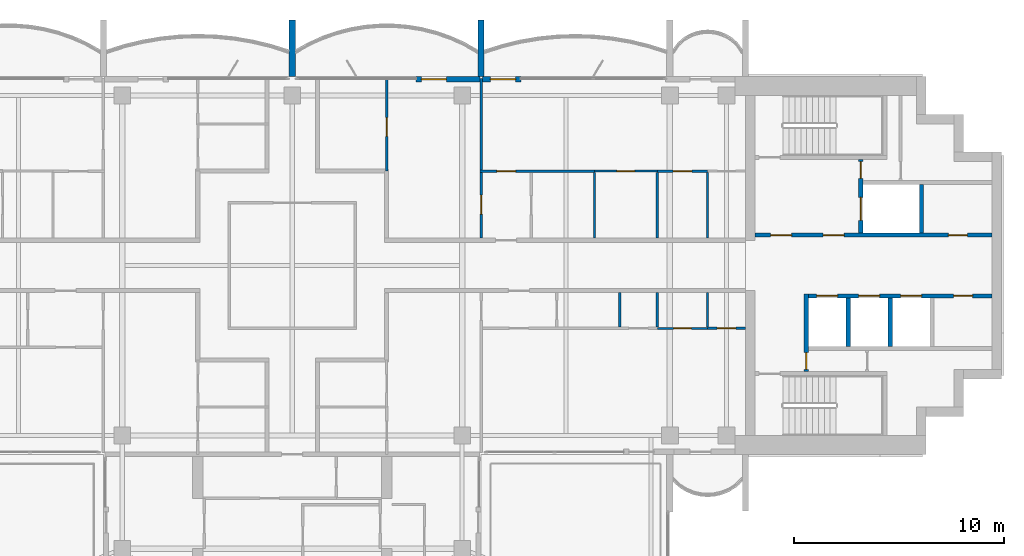
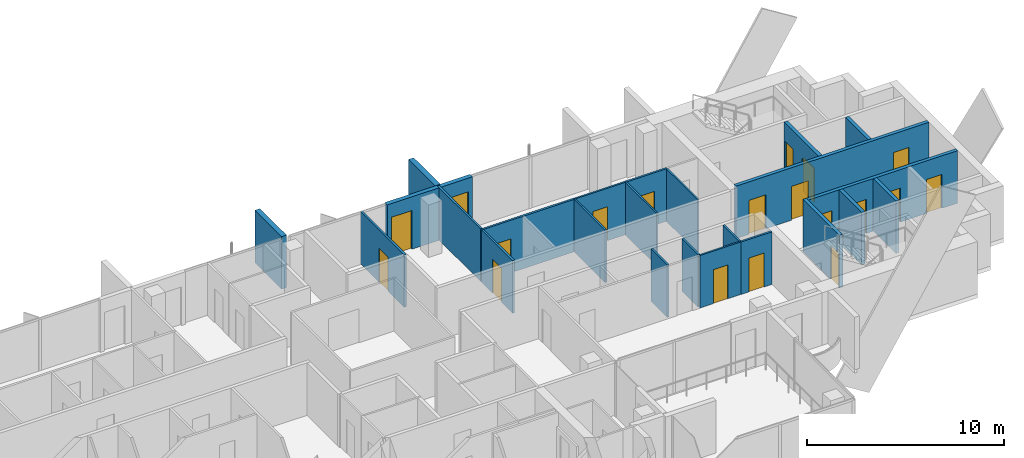
# One storey, part 11 of 16: 24 walls, 19 doors, 19 openings.
"""IFC4 building model written with IfcOpenShell, lengths in metres."""

from ifc_helpers import new_model, si_unit, direction, frame, frame_2d, origin, place, context, subcontext, project, spatial, rectangle, extrude, material, layer, layer_set, type_object, element, fill, save


model = new_model("IFC4")

# Units and contexts
model_context = context("Model", 3, precision=1e-05, world=origin(), true_north=direction((0.0, 1.0)))
body_context = subcontext(model_context, "Body", "Model", "MODEL_VIEW")
ifc_project = project(units=[si_unit("LENGTHUNIT", "METRE"), si_unit("AREAUNIT", "SQUARE_METRE"), si_unit("VOLUMEUNIT", "CUBIC_METRE"), si_unit("PLANEANGLEUNIT", "RADIAN"), si_unit("MASSUNIT", "GRAM", prefix="KILO")], contexts=[model_context])

# Site, building, storey
site_placement = place(None, origin())
site = spatial("IfcSite", under=ifc_project, at=site_placement, CompositionType="ELEMENT")
building_placement = place(site_placement, origin())
building = spatial("IfcBuilding", under=site, at=building_placement, Name="Perihelion Cross Residences", CompositionType="ELEMENT")
storey_placement = place(building_placement, frame((0.0, 0.0, 239.5)))
storey = spatial("IfcBuildingStorey", under=building, at=storey_placement, Name="L60", CompositionType="ELEMENT", Elevation=239.5)

# Wall, opening, door
ifc_material_1 = material(Name="Concrete C30/37, bronze-clad", Category="concrete")
ifc_layer_1 = layer(ifc_material_1, 0.25)
ifc_layer_set_1 = layer_set([ifc_layer_1], Name="Bronze-clad pier wall 250")
wall_type_1 = type_object("IfcWallType", Name="Bronze-clad pier wall 250", PredefinedType="SOLIDWALL", material=ifc_layer_set_1)
wall_1_placement = place(storey_placement, frame((10.89990234375, 8.875, 0.0), z_axis=(0.0, 0.0, 1.0), x_axis=(-1.0, 0.0, 0.0)))
wall_1 = element("IfcWall", 1, at=wall_1_placement, inside=storey, type_object=wall_type_1, Name="Wall FW1 L60 east side north bay 2 pier", PredefinedType="SOLIDWALL", context=body_context, shape_type="SweptSolid", body=[
    extrude(rectangle(XDim=1.83984375, YDim=0.25, at=frame_2d((0.919921875, 0.0))), origin(), (0.0, 0.0, 1.0), 3.25),
])
opening_1_placement = place(wall_1_placement, frame((0.25, 0.0, 0.0)))
opening_1 = element("IfcOpeningElement", 2, at=opening_1_placement, cuts=wall_1, Name="Opening L60.E02", PredefinedType="OPENING", context=body_context, shape_type="SweptSolid", body=[
    extrude(rectangle(XDim=1.199951171875, YDim=2.39990234375, at=frame_2d((0.60009765625, 1.199951171875))), frame((0.0, 0.135009765625, 0.0), z_axis=(0.0, -1.0, 0.0), x_axis=(1.0, 0.0, 0.0)), (0.0, 0.0, 1.0), 0.27001953125),
])
ifc_material_2 = material(Name="Bronze anodised aluminium, glazed", Category="aluminium")
door_type_1 = type_object("IfcDoorType", Name="Balcony door 1200 x 2400", OperationType="NOTDEFINED", PredefinedType="DOOR", material=ifc_material_2)
door_1_placement = place(opening_1_placement, origin())
door_1 = element("IfcDoor", 3, at=door_1_placement, inside=storey, type_object=door_type_1, Name="Door L60.E02 east side north bay 2", OperationType="SINGLE_SWING_RIGHT", OverallHeight=2.39990234375, OverallWidth=1.199951171875, PredefinedType="DOOR", context=body_context, shape_type="SweptSolid", body=[
    extrude(rectangle(XDim=1.199951171875, YDim=2.39990234375, at=frame_2d((0.60009765625, 1.199951171875))), frame((0.0, 0.02490234375, 0.0), z_axis=(0.0, -1.0, 0.0), x_axis=(1.0, 0.0, 0.0)), (0.0, 0.0, 1.0), 0.050048828125),
])
fill(opening_1, door_1)

wall_2_placement = place(storey_placement, frame((8.93994140625, 8.875, 0.0), z_axis=(0.0, 0.0, 1.0), x_axis=(-1.0, 0.0, 0.0)))
wall_2 = element("IfcWall", 4, at=wall_2_placement, inside=storey, type_object=wall_type_1, Name="Wall FW1 L60 north side east bay 1 pier", PredefinedType="SOLIDWALL", context=body_context, shape_type="SweptSolid", body=[
    extrude(rectangle(XDim=3.0400390625, YDim=0.25, at=frame_2d((1.52001953125, 0.0))), origin(), (0.0, 0.0, 1.0), 3.25),
])
opening_2_placement = place(wall_2_placement, frame((1.590087890625, 0.0, 0.0)))
opening_2 = element("IfcOpeningElement", 5, at=opening_2_placement, cuts=wall_2, Name="Opening L60.E03", PredefinedType="OPENING", context=body_context, shape_type="SweptSolid", body=[
    extrude(rectangle(XDim=1.199951171875, YDim=2.39990234375, at=frame_2d((0.60009765625, 1.199951171875))), frame((0.0, 0.135009765625, 0.0), z_axis=(0.0, -1.0, 0.0), x_axis=(1.0, 0.0, 0.0)), (0.0, 0.0, 1.0), 0.27001953125),
])
door_2_placement = place(opening_2_placement, origin())
door_2 = element("IfcDoor", 6, at=door_2_placement, inside=storey, type_object=door_type_1, Name="Door L60.E03 north side east bay 1", OperationType="SINGLE_SWING_LEFT", OverallHeight=2.39990234375, OverallWidth=1.199951171875, PredefinedType="DOOR", context=body_context, shape_type="SweptSolid", body=[
    extrude(rectangle(XDim=1.199951171875, YDim=2.39990234375, at=frame_2d((0.60009765625, 1.199951171875))), frame((0.0, 0.02490234375, 0.0), z_axis=(0.0, -1.0, 0.0), x_axis=(1.0, 0.0, 0.0)), (0.0, 0.0, 1.0), 0.050048828125),
])
fill(opening_2, door_2)

ifc_material_3 = material(Name="Concrete C50/60", Category="concrete")
ifc_layer_2 = layer(ifc_material_3, 0.199951171875)
ifc_layer_set_2 = layer_set([ifc_layer_2], Name="Lobby wall 200")
wall_type_2 = type_object("IfcWallType", Name="Lobby wall 200", PredefinedType="SOLIDWALL", material=ifc_layer_set_2)
wall_3_placement = place(storey_placement, frame((24.5, -5.050048828125, 0.0), z_axis=(0.0, 0.0, 1.0), x_axis=(0.0, 1.0, 0.0)))
wall_3 = element("IfcWall", 7, at=wall_3_placement, inside=storey, type_object=wall_type_2, Name="East core lobby wall", PredefinedType="SOLIDWALL", context=body_context, shape_type="SweptSolid", body=[
    extrude(rectangle(XDim=3.699951171875, YDim=0.199951171875, at=frame_2d((1.85009765625, 0.0))), origin(), (0.0, 0.0, 1.0), 3.25),
])
opening_3_placement = place(wall_3_placement, frame((0.10009765625, 0.0, 0.0)))
opening_3 = element("IfcOpeningElement", 8, at=opening_3_placement, cuts=wall_3, Name="Opening L60.C08", PredefinedType="OPENING", context=body_context, shape_type="SweptSolid", body=[
    extrude(rectangle(XDim=0.800048828125, YDim=2.10009765625, at=frame_2d((0.39990234375, 1.050048828125))), frame((0.0, 0.10986328125, 0.0), z_axis=(0.0, -1.0, 0.0), x_axis=(1.0, 0.0, 0.0)), (0.0, 0.0, 1.0), 0.219970703125),
])
ifc_material_4 = material(Name="Steel, powder coated", Category="steel")
door_type_2 = type_object("IfcDoorType", Name="Riser door 800", OperationType="SINGLE_SWING_LEFT", PredefinedType="DOOR", material=ifc_material_4)
door_3_placement = place(opening_3_placement, origin())
door_3 = element("IfcDoor", 9, at=door_3_placement, inside=storey, type_object=door_type_2, Name="East core riser door", OperationType="SINGLE_SWING_LEFT", OverallHeight=2.10009765625, OverallWidth=0.800048828125, PredefinedType="DOOR", context=body_context, shape_type="SweptSolid", body=[
    extrude(rectangle(XDim=0.800048828125, YDim=2.10009765625, at=frame_2d((0.39990234375, 1.050048828125))), frame((0.0, 0.02490234375, 0.0), z_axis=(0.0, -1.0, 0.0), x_axis=(1.0, 0.0, 0.0)), (0.0, 0.0, 1.0), 0.050048828125),
])
fill(opening_3, door_3)

ifc_material_5 = material(Name="Plasterboard partition")
ifc_layer_3 = layer(ifc_material_5, 0.1201171875)
ifc_layer_set_3 = layer_set([ifc_layer_3], Name="Partition wall 120")
wall_type_3 = type_object("IfcWallType", Name="Partition wall 120", PredefinedType="PARTITIONING", material=ifc_layer_set_3)
wall_4_placement = place(storey_placement, frame((8.93994140625, 4.5, 0.0), z_axis=(0.0, 0.0, 1.0), x_axis=(1.0, 0.0, 0.0)))
wall_4 = element("IfcWall", 10, at=wall_4_placement, inside=storey, type_object=wall_type_3, Name="Partition L60 W023", PredefinedType="PARTITIONING", context=body_context, shape_type="SweptSolid", body=[
    extrude(rectangle(XDim=5.4599609375, YDim=0.1201171875, at=frame_2d((2.72998046875, 0.0))), origin(), (0.0, 0.0, 1.0), 3.25),
])
opening_4_placement = place(wall_4_placement, frame((0.81005859375, 0.0, 0.0)))
opening_4 = element("IfcOpeningElement", 11, at=opening_4_placement, cuts=wall_4, Name="Opening L60.A06", PredefinedType="OPENING", context=body_context, shape_type="SweptSolid", body=[
    extrude(rectangle(XDim=0.89990234375, YDim=2.10009765625, at=frame_2d((0.449951171875, 1.050048828125))), frame((0.0, 0.070068359375, 0.0), z_axis=(0.0, -1.0, 0.0), x_axis=(1.0, 0.0, 0.0)), (0.0, 0.0, 1.0), 0.14013671875),
])
ifc_material_6 = material(Name="Timber door leaf", Category="wood")
door_type_3 = type_object("IfcDoorType", Name="Interior room door 900 x 2100", OperationType="SINGLE_SWING_LEFT", PredefinedType="DOOR", material=ifc_material_6)
door_4_placement = place(opening_4_placement, origin())
door_4 = element("IfcDoor", 12, at=door_4_placement, inside=storey, type_object=door_type_3, Name="Door L60.A06", OperationType="SINGLE_SWING_RIGHT", OverallHeight=2.10009765625, OverallWidth=0.89990234375, PredefinedType="DOOR", context=body_context, shape_type="SweptSolid", body=[
    extrude(rectangle(XDim=0.89990234375, YDim=2.10009765625, at=frame_2d((0.449951171875, 1.050048828125))), frame((0.0, 0.02490234375, 0.0), z_axis=(0.0, -1.0, 0.0), x_axis=(1.0, 0.0, 0.0)), (0.0, 0.0, 1.0), 0.050048828125),
])
fill(opening_4, door_4)

wall_5_placement = place(storey_placement, frame((9.0, 1.300048828125, 0.0), z_axis=(0.0, 0.0, 1.0), x_axis=(0.0, 1.0, 0.0)))
wall_5 = element("IfcWall", 13, at=wall_5_placement, inside=storey, type_object=wall_type_3, Name="Partition L60 W024", PredefinedType="PARTITIONING", context=body_context, shape_type="SweptSolid", body=[
    extrude(rectangle(XDim=7.619873046875, YDim=0.1201171875, at=frame_2d((3.81005859375, 0.0))), origin(), (0.0, 0.0, 1.0), 3.25),
])
opening_5_placement = place(wall_5_placement, frame((1.14990234375, 0.0, 0.0)))
opening_5 = element("IfcOpeningElement", 14, at=opening_5_placement, cuts=wall_5, Name="Opening L60.A07", PredefinedType="OPENING", context=body_context, shape_type="SweptSolid", body=[
    extrude(rectangle(XDim=0.89990234375, YDim=2.10009765625, at=frame_2d((0.449951171875, 1.050048828125))), frame((0.0, 0.070068359375, 0.0), z_axis=(0.0, -1.0, 0.0), x_axis=(1.0, 0.0, 0.0)), (0.0, 0.0, 1.0), 0.14013671875),
])
door_5_placement = place(opening_5_placement, origin())
door_5 = element("IfcDoor", 15, at=door_5_placement, inside=storey, type_object=door_type_3, Name="Door L60.A07", OperationType="SINGLE_SWING_LEFT", OverallHeight=2.10009765625, OverallWidth=0.89990234375, PredefinedType="DOOR", context=body_context, shape_type="SweptSolid", body=[
    extrude(rectangle(XDim=0.89990234375, YDim=2.10009765625, at=frame_2d((0.449951171875, 1.050048828125))), frame((0.0, 0.02490234375, 0.0), z_axis=(0.0, -1.0, 0.0), x_axis=(1.0, 0.0, 0.0)), (0.0, 0.0, 1.0), 0.050048828125),
])
fill(opening_5, door_5)

wall_6_placement = place(storey_placement, frame((17.39990234375, 4.5, 0.0), z_axis=(0.0, 0.0, 1.0), x_axis=(1.0, 0.0, 0.0)))
wall_6 = element("IfcWall", 16, at=wall_6_placement, inside=storey, type_object=wall_type_3, Name="Partition L60 W029", PredefinedType="PARTITIONING", context=body_context, shape_type="SweptSolid", body=[
    extrude(rectangle(XDim=2.400146484375, YDim=0.1201171875, at=frame_2d((1.2001953125, 0.0))), origin(), (0.0, 0.0, 1.0), 3.25),
])
opening_6_placement = place(wall_6_placement, frame((0.75, 0.0, 0.0)))
opening_6 = element("IfcOpeningElement", 17, at=opening_6_placement, cuts=wall_6, Name="Opening L60.A08", PredefinedType="OPENING", context=body_context, shape_type="SweptSolid", body=[
    extrude(rectangle(XDim=0.89990234375, YDim=2.10009765625, at=frame_2d((0.449951171875, 1.050048828125))), frame((0.0, 0.070068359375, 0.0), z_axis=(0.0, -1.0, 0.0), x_axis=(1.0, 0.0, 0.0)), (0.0, 0.0, 1.0), 0.14013671875),
])
door_6_placement = place(opening_6_placement, origin())
door_6 = element("IfcDoor", 18, at=door_6_placement, inside=storey, type_object=door_type_3, Name="Door L60.A08", OperationType="SINGLE_SWING_LEFT", OverallHeight=2.10009765625, OverallWidth=0.89990234375, PredefinedType="DOOR", context=body_context, shape_type="SweptSolid", body=[
    extrude(rectangle(XDim=0.89990234375, YDim=2.10009765625, at=frame_2d((0.449951171875, 1.050048828125))), frame((0.0, 0.02490234375, 0.0), z_axis=(0.0, -1.0, 0.0), x_axis=(1.0, 0.0, 0.0)), (0.0, 0.0, 1.0), 0.050048828125),
])
fill(opening_6, door_6)

wall_7_placement = place(storey_placement, frame((4.5, 4.5, 0.0), z_axis=(0.0, 0.0, 1.0), x_axis=(0.0, 1.0, 0.0)))
wall_7 = element("IfcWall", 19, at=wall_7_placement, inside=storey, type_object=wall_type_3, Name="Partition L60 W031", PredefinedType="PARTITIONING", context=body_context, shape_type="SweptSolid", body=[
    extrude(rectangle(XDim=4.419921875, YDim=0.1201171875, at=frame_2d((2.2099609375, 0.0))), origin(), (0.0, 0.0, 1.0), 3.25),
])
opening_7_placement = place(wall_7_placement, frame((1.64990234375, 0.0, 0.0)))
opening_7 = element("IfcOpeningElement", 20, at=opening_7_placement, cuts=wall_7, Name="Opening L60.A03", PredefinedType="OPENING", context=body_context, shape_type="SweptSolid", body=[
    extrude(rectangle(XDim=0.89990234375, YDim=2.10009765625, at=frame_2d((0.449951171875, 1.050048828125))), frame((0.0, 0.070068359375, 0.0), z_axis=(0.0, -1.0, 0.0), x_axis=(1.0, 0.0, 0.0)), (0.0, 0.0, 1.0), 0.14013671875),
])
door_7_placement = place(opening_7_placement, origin())
door_7 = element("IfcDoor", 21, at=door_7_placement, inside=storey, type_object=door_type_3, Name="Door L60.A03", OperationType="SINGLE_SWING_LEFT", OverallHeight=2.10009765625, OverallWidth=0.89990234375, PredefinedType="DOOR", context=body_context, shape_type="SweptSolid", body=[
    extrude(rectangle(XDim=0.89990234375, YDim=2.10009765625, at=frame_2d((0.449951171875, 1.050048828125))), frame((0.0, 0.02490234375, 0.0), z_axis=(0.0, -1.0, 0.0), x_axis=(1.0, 0.0, 0.0)), (0.0, 0.0, 1.0), 0.050048828125),
])
fill(opening_7, door_7)

# Wall
wall_8_placement = place(storey_placement, frame((15.60009765625, -1.300048828125, 0.0), z_axis=(0.0, 0.0, 1.0), x_axis=(0.0, -1.0, 0.0)))
element("IfcWall", 22, at=wall_8_placement, inside=storey, type_object=wall_type_3, Name="Partition L60 W035", PredefinedType="PARTITIONING", context=body_context, shape_type="SweptSolid", body=[
    extrude(rectangle(XDim=1.639892578125, YDim=0.1201171875, at=frame_2d((0.81982421875, 0.0))), origin(), (0.0, 0.0, 1.0), 3.25),
])

# Wall, opening, door
wall_9_placement = place(storey_placement, frame((21.60009765625, -3.0, 0.0), z_axis=(0.0, 0.0, 1.0), x_axis=(-1.0, 0.0, 0.0)))
wall_9 = element("IfcWall", 23, at=wall_9_placement, inside=storey, type_object=wall_type_3, Name="Partition L60 W039", PredefinedType="PARTITIONING", context=body_context, shape_type="SweptSolid", body=[
    extrude(rectangle(XDim=1.800048828125, YDim=0.1201171875, at=frame_2d((0.89990234375, 0.0))), origin(), (0.0, 0.0, 1.0), 3.25),
])
opening_8_placement = place(wall_9_placement, frame((0.449951171875, 0.0, 0.0)))
opening_8 = element("IfcOpeningElement", 24, at=opening_8_placement, cuts=wall_9, Name="Opening L60.A10", PredefinedType="OPENING", context=body_context, shape_type="SweptSolid", body=[
    extrude(rectangle(XDim=0.89990234375, YDim=2.10009765625, at=frame_2d((0.449951171875, 1.050048828125))), frame((0.0, 0.070068359375, 0.0), z_axis=(0.0, -1.0, 0.0), x_axis=(1.0, 0.0, 0.0)), (0.0, 0.0, 1.0), 0.14013671875),
])
door_8_placement = place(opening_8_placement, origin())
door_8 = element("IfcDoor", 25, at=door_8_placement, inside=storey, type_object=door_type_3, Name="Door L60.A10", OperationType="SINGLE_SWING_LEFT", OverallHeight=2.10009765625, OverallWidth=0.89990234375, PredefinedType="DOOR", context=body_context, shape_type="SweptSolid", body=[
    extrude(rectangle(XDim=0.89990234375, YDim=2.10009765625, at=frame_2d((0.449951171875, 1.050048828125))), frame((0.0, 0.02490234375, 0.0), z_axis=(0.0, -1.0, 0.0), x_axis=(1.0, 0.0, 0.0)), (0.0, 0.0, 1.0), 0.050048828125),
])
fill(opening_8, door_8)

# Walls
ifc_material_7 = material(Name="Precast concrete C50/60", Category="concrete")
ifc_layer_4 = layer(ifc_material_7, 0.300048828125)
ifc_layer_set_4 = layer_set([ifc_layer_4], Name="Precast concrete C50/60 blade wall 300")
wall_type_4 = type_object("IfcWallType", Name="Precast concrete C50/60 blade wall 300", PredefinedType="SOLIDWALL", material=ifc_layer_set_4)
for number, where, z_axis, x_axis, name in (
    (26, (0.0, 9.0, 0.0), (0.0, 0.0, 1.0), (0.0, 1.0, 0.0), "Wall BL1 L60 no. 9"),
    (27, (9.0, 9.0, 0.0), (0.0, 0.0, 1.0), (0.0, 1.0, 0.0), "Wall BL1 L60 no. 16"),
):
    element("IfcWall", number, at=place(storey_placement, frame(where, z_axis=z_axis, x_axis=x_axis)), inside=storey, type_object=wall_type_4, Name=name, PredefinedType="SOLIDWALL", context=body_context, shape_type="SweptSolid", body=[
        extrude(rectangle(XDim=2.699951171875, YDim=0.300048828125, at=frame_2d((1.35009765625, 0.0))), origin(), (0.0, 0.0, 1.0), 3.25),
    ])

# Wall, openings, doors
ifc_material_8 = material(Name="Concrete C50/60", Category="concrete")
ifc_layer_5 = layer(ifc_material_8, 0.199951171875)
ifc_layer_set_5 = layer_set([ifc_layer_5], Name="Shaft wall 200")
wall_type_5 = type_object("IfcWallType", Name="Shaft wall 200", PredefinedType="SOLIDWALL", material=ifc_layer_set_5)
wall_10_placement = place(storey_placement, frame((22.050048828125, 1.449951171875, 0.0), z_axis=(0.0, 0.0, 1.0), x_axis=(1.0, 0.0, 0.0)))
wall_10 = element("IfcWall", 28, at=wall_10_placement, inside=storey, type_object=wall_type_5, Name="East core shaft wall", PredefinedType="SOLIDWALL", context=body_context, shape_type="SweptSolid", body=[
    extrude(rectangle(XDim=11.300048828125, YDim=0.199951171875, at=frame_2d((5.64990234375, 0.0))), origin(), (0.0, 0.0, 1.0), 3.25),
])
opening_9_placement = place(wall_10_placement, frame((0.75, 0.0, 0.0)))
opening_9 = element("IfcOpeningElement", 29, at=opening_9_placement, cuts=wall_10, Name="Opening L60.C07", PredefinedType="OPENING", context=body_context, shape_type="SweptSolid", body=[
    extrude(rectangle(XDim=1.0, YDim=2.10009765625, at=frame_2d((0.5, 1.050048828125))), frame((0.0, 0.10986328125, 0.0), z_axis=(0.0, -1.0, 0.0), x_axis=(1.0, 0.0, 0.0)), (0.0, 0.0, 1.0), 0.219970703125),
])
opening_10_placement = place(wall_10_placement, frame((3.25, 0.0, 0.0)))
opening_10 = element("IfcOpeningElement", 30, at=opening_10_placement, cuts=wall_10, Name="Opening L60.C09", PredefinedType="OPENING", context=body_context, shape_type="SweptSolid", body=[
    extrude(rectangle(XDim=1.0, YDim=2.10009765625, at=frame_2d((0.5, 1.050048828125))), frame((0.0, 0.10986328125, 0.0), z_axis=(0.0, -1.0, 0.0), x_axis=(1.0, 0.0, 0.0)), (0.0, 0.0, 1.0), 0.219970703125),
])
opening_11_placement = place(wall_10_placement, frame((9.22509765625, 0.0, 0.0)))
opening_11 = element("IfcOpeningElement", 31, at=opening_11_placement, cuts=wall_10, Name="Opening L60.C13", PredefinedType="OPENING", context=body_context, shape_type="SweptSolid", body=[
    extrude(rectangle(XDim=0.89990234375, YDim=2.10009765625, at=frame_2d((0.449951171875, 1.050048828125))), frame((0.0, 0.10986328125, 0.0), z_axis=(0.0, -1.0, 0.0), x_axis=(1.0, 0.0, 0.0)), (0.0, 0.0, 1.0), 0.219970703125),
])
ifc_material_9 = material(Name="Steel, powder coated", Category="steel")
door_type_4 = type_object("IfcDoorType", Name="Lobby door 1000", OperationType="SINGLE_SWING_LEFT", PredefinedType="DOOR", material=ifc_material_9)
door_9_placement = place(opening_9_placement, origin())
door_9 = element("IfcDoor", 32, at=door_9_placement, inside=storey, type_object=door_type_4, Name="East core firefighting lobby door", OperationType="SINGLE_SWING_LEFT", OverallHeight=2.10009765625, OverallWidth=1.0, PredefinedType="DOOR", context=body_context, shape_type="SweptSolid", body=[
    extrude(rectangle(XDim=1.0, YDim=2.10009765625, at=frame_2d((0.5, 1.050048828125))), frame((0.0, 0.02490234375, 0.0), z_axis=(0.0, -1.0, 0.0), x_axis=(1.0, 0.0, 0.0)), (0.0, 0.0, 1.0), 0.050048828125),
])
fill(opening_9, door_9)
door_10_placement = place(opening_10_placement, origin())
door_10 = element("IfcDoor", 33, at=door_10_placement, inside=storey, type_object=door_type_4, Name="East core firefighting lobby door", OperationType="SINGLE_SWING_LEFT", OverallHeight=2.10009765625, OverallWidth=1.0, PredefinedType="DOOR", context=body_context, shape_type="SweptSolid", body=[
    extrude(rectangle(XDim=1.0, YDim=2.10009765625, at=frame_2d((0.5, 1.050048828125))), frame((0.0, 0.02490234375, 0.0), z_axis=(0.0, -1.0, 0.0), x_axis=(1.0, 0.0, 0.0)), (0.0, 0.0, 1.0), 0.050048828125),
])
fill(opening_10, door_10)
ifc_material_10 = material(Name="Steel, powder coated", Category="steel")
door_type_5 = type_object("IfcDoorType", Name="Service room door 900", OperationType="SINGLE_SWING_LEFT", PredefinedType="DOOR", material=ifc_material_10)
door_11_placement = place(opening_11_placement, origin())
door_11 = element("IfcDoor", 34, at=door_11_placement, inside=storey, type_object=door_type_5, Name="East core service room door", OperationType="SINGLE_SWING_LEFT", OverallHeight=2.10009765625, OverallWidth=0.89990234375, PredefinedType="DOOR", context=body_context, shape_type="SweptSolid", body=[
    extrude(rectangle(XDim=0.89990234375, YDim=2.10009765625, at=frame_2d((0.449951171875, 1.050048828125))), frame((0.0, 0.02490234375, 0.0), z_axis=(0.0, -1.0, 0.0), x_axis=(1.0, 0.0, 0.0)), (0.0, 0.0, 1.0), 0.050048828125),
])
fill(opening_11, door_11)

wall_11_placement = place(storey_placement, frame((24.60009765625, -1.449951171875, 0.0), z_axis=(0.0, 0.0, 1.0), x_axis=(1.0, 0.0, 0.0)))
wall_11 = element("IfcWall", 35, at=wall_11_placement, inside=storey, type_object=wall_type_5, Name="East core shaft wall", PredefinedType="SOLIDWALL", context=body_context, shape_type="SweptSolid", body=[
    extrude(rectangle(XDim=8.75, YDim=0.199951171875, at=frame_2d((4.375, 0.0))), origin(), (0.0, 0.0, 1.0), 3.25),
])
opening_12_placement = place(wall_11_placement, frame((0.39990234375, 0.0, 0.0)))
opening_12 = element("IfcOpeningElement", 36, at=opening_12_placement, cuts=wall_11, Name="Opening L60.C01", PredefinedType="OPENING", context=body_context, shape_type="SweptSolid", body=[
    extrude(rectangle(XDim=1.0, YDim=2.10009765625, at=frame_2d((0.5, 1.050048828125))), frame((0.0, 0.10986328125, 0.0), z_axis=(0.0, -1.0, 0.0), x_axis=(1.0, 0.0, 0.0)), (0.0, 0.0, 1.0), 0.219970703125),
])
opening_13_placement = place(wall_11_placement, frame((2.39990234375, 0.0, 0.0)))
opening_13 = element("IfcOpeningElement", 37, at=opening_13_placement, cuts=wall_11, Name="Opening L60.C03", PredefinedType="OPENING", context=body_context, shape_type="SweptSolid", body=[
    extrude(rectangle(XDim=1.0, YDim=2.10009765625, at=frame_2d((0.5, 1.050048828125))), frame((0.0, 0.10986328125, 0.0), z_axis=(0.0, -1.0, 0.0), x_axis=(1.0, 0.0, 0.0)), (0.0, 0.0, 1.0), 0.219970703125),
])
opening_14_placement = place(wall_11_placement, frame((4.39990234375, 0.0, 0.0)))
opening_14 = element("IfcOpeningElement", 38, at=opening_14_placement, cuts=wall_11, Name="Opening L60.C04", PredefinedType="OPENING", context=body_context, shape_type="SweptSolid", body=[
    extrude(rectangle(XDim=1.0, YDim=2.10009765625, at=frame_2d((0.5, 1.050048828125))), frame((0.0, 0.10986328125, 0.0), z_axis=(0.0, -1.0, 0.0), x_axis=(1.0, 0.0, 0.0)), (0.0, 0.0, 1.0), 0.219970703125),
])
opening_15_placement = place(wall_11_placement, frame((6.925048828125, 0.0, 0.0)))
opening_15 = element("IfcOpeningElement", 39, at=opening_15_placement, cuts=wall_11, Name="Opening L60.C14", PredefinedType="OPENING", context=body_context, shape_type="SweptSolid", body=[
    extrude(rectangle(XDim=0.89990234375, YDim=2.10009765625, at=frame_2d((0.449951171875, 1.050048828125))), frame((0.0, 0.10986328125, 0.0), z_axis=(0.0, -1.0, 0.0), x_axis=(1.0, 0.0, 0.0)), (0.0, 0.0, 1.0), 0.219970703125),
])
ifc_material_11 = material(Name="Stainless steel", Category="steel")
door_type_6 = type_object("IfcDoorType", Name="Landing door 1000", OperationType="DOUBLE_DOOR_SLIDING", PredefinedType="DOOR", material=ifc_material_11)
door_12_placement = place(opening_12_placement, origin())
door_12 = element("IfcDoor", 40, at=door_12_placement, inside=storey, type_object=door_type_6, Name="Landing door, East core high-rise lift 1", OperationType="DOUBLE_DOOR_SLIDING", OverallHeight=2.10009765625, OverallWidth=1.0, PredefinedType="DOOR", context=body_context, shape_type="SweptSolid", body=[
    extrude(rectangle(XDim=1.0, YDim=2.10009765625, at=frame_2d((0.5, 1.050048828125))), frame((0.0, 0.02490234375, 0.0), z_axis=(0.0, -1.0, 0.0), x_axis=(1.0, 0.0, 0.0)), (0.0, 0.0, 1.0), 0.050048828125),
])
fill(opening_12, door_12)
door_13_placement = place(opening_13_placement, origin())
door_13 = element("IfcDoor", 41, at=door_13_placement, inside=storey, type_object=door_type_6, Name="Landing door, East core high-rise lift 2", OperationType="DOUBLE_DOOR_SLIDING", OverallHeight=2.10009765625, OverallWidth=1.0, PredefinedType="DOOR", context=body_context, shape_type="SweptSolid", body=[
    extrude(rectangle(XDim=1.0, YDim=2.10009765625, at=frame_2d((0.5, 1.050048828125))), frame((0.0, 0.02490234375, 0.0), z_axis=(0.0, -1.0, 0.0), x_axis=(1.0, 0.0, 0.0)), (0.0, 0.0, 1.0), 0.050048828125),
])
fill(opening_13, door_13)
door_14_placement = place(opening_14_placement, origin())
door_14 = element("IfcDoor", 42, at=door_14_placement, inside=storey, type_object=door_type_6, Name="Landing door, East core high-rise lift 3", OperationType="DOUBLE_DOOR_SLIDING", OverallHeight=2.10009765625, OverallWidth=1.0, PredefinedType="DOOR", context=body_context, shape_type="SweptSolid", body=[
    extrude(rectangle(XDim=1.0, YDim=2.10009765625, at=frame_2d((0.5, 1.050048828125))), frame((0.0, 0.02490234375, 0.0), z_axis=(0.0, -1.0, 0.0), x_axis=(1.0, 0.0, 0.0)), (0.0, 0.0, 1.0), 0.050048828125),
])
fill(opening_14, door_14)
door_15_placement = place(opening_15_placement, origin())
door_15 = element("IfcDoor", 43, at=door_15_placement, inside=storey, type_object=door_type_5, Name="East core service room door", OperationType="SINGLE_SWING_LEFT", OverallHeight=2.10009765625, OverallWidth=0.89990234375, PredefinedType="DOOR", context=body_context, shape_type="SweptSolid", body=[
    extrude(rectangle(XDim=0.89990234375, YDim=2.10009765625, at=frame_2d((0.449951171875, 1.050048828125))), frame((0.0, 0.02490234375, 0.0), z_axis=(0.0, -1.0, 0.0), x_axis=(1.0, 0.0, 0.0)), (0.0, 0.0, 1.0), 0.050048828125),
])
fill(opening_15, door_15)

wall_12_placement = place(storey_placement, frame((27.10009765625, 1.550048828125, 0.0), z_axis=(0.0, 0.0, 1.0), x_axis=(0.0, 1.0, 0.0)))
wall_12 = element("IfcWall", 44, at=wall_12_placement, inside=storey, type_object=wall_type_5, Name="East core shaft wall", PredefinedType="SOLIDWALL", context=body_context, shape_type="SweptSolid", body=[
    extrude(rectangle(XDim=3.5, YDim=0.199951171875, at=frame_2d((1.75, 0.0))), origin(), (0.0, 0.0, 1.0), 3.25),
])
opening_16_placement = place(wall_12_placement, frame((0.60009765625, 0.0, 0.0)))
opening_16 = element("IfcOpeningElement", 45, at=opening_16_placement, cuts=wall_12, Name="Opening L60.C02", PredefinedType="OPENING", context=body_context, shape_type="SweptSolid", body=[
    extrude(rectangle(XDim=1.10009765625, YDim=2.10009765625, at=frame_2d((0.550048828125, 1.050048828125))), frame((0.0, 0.10986328125, 0.0), z_axis=(0.0, -1.0, 0.0), x_axis=(1.0, 0.0, 0.0)), (0.0, 0.0, 1.0), 0.219970703125),
])
opening_17_placement = place(wall_12_placement, frame((2.60009765625, 0.0, 0.0)))
opening_17 = element("IfcOpeningElement", 46, at=opening_17_placement, cuts=wall_12, Name="Opening L60.C10", PredefinedType="OPENING", context=body_context, shape_type="SweptSolid", body=[
    extrude(rectangle(XDim=0.800048828125, YDim=2.10009765625, at=frame_2d((0.39990234375, 1.050048828125))), frame((0.0, 0.10986328125, 0.0), z_axis=(0.0, -1.0, 0.0), x_axis=(1.0, 0.0, 0.0)), (0.0, 0.0, 1.0), 0.219970703125),
])
ifc_material_12 = material(Name="Stainless steel", Category="steel")
door_type_7 = type_object("IfcDoorType", Name="Landing door, firefighting lift 1100", OperationType="DOUBLE_DOOR_SLIDING", PredefinedType="DOOR", material=ifc_material_12)
door_16_placement = place(opening_16_placement, origin())
door_16 = element("IfcDoor", 47, at=door_16_placement, inside=storey, type_object=door_type_7, Name="Landing door, East core firefighting and service lift", OperationType="DOUBLE_DOOR_SLIDING", OverallHeight=2.10009765625, OverallWidth=1.10009765625, PredefinedType="DOOR", context=body_context, shape_type="SweptSolid", body=[
    extrude(rectangle(XDim=1.10009765625, YDim=2.10009765625, at=frame_2d((0.550048828125, 1.050048828125))), frame((0.0, 0.02490234375, 0.0), z_axis=(0.0, -1.0, 0.0), x_axis=(1.0, 0.0, 0.0)), (0.0, 0.0, 1.0), 0.050048828125),
])
fill(opening_16, door_16)
door_17_placement = place(opening_17_placement, origin())
door_17 = element("IfcDoor", 48, at=door_17_placement, inside=storey, type_object=door_type_2, Name="East core riser door", OperationType="SINGLE_SWING_LEFT", OverallHeight=2.10009765625, OverallWidth=0.800048828125, PredefinedType="DOOR", context=body_context, shape_type="SweptSolid", body=[
    extrude(rectangle(XDim=0.800048828125, YDim=2.10009765625, at=frame_2d((0.39990234375, 1.050048828125))), frame((0.0, 0.02490234375, 0.0), z_axis=(0.0, -1.0, 0.0), x_axis=(1.0, 0.0, 0.0)), (0.0, 0.0, 1.0), 0.050048828125),
])
fill(opening_17, door_17)

# Walls
for number, where, z_axis, x_axis, name in (
    (49, (30.0, 1.550048828125, 0.0), (0.0, 0.0, 1.0), (0.0, 1.0, 0.0), "East core shaft wall"),
    (50, (26.5, -3.85009765625, 0.0), (0.0, 0.0, 1.0), (0.0, 1.0, 0.0), "East core shaft wall"),
    (51, (28.5, -3.85009765625, 0.0), (0.0, 0.0, 1.0), (0.0, 1.0, 0.0), "East core shaft wall"),
):
    element("IfcWall", number, at=place(storey_placement, frame(where, z_axis=z_axis, x_axis=x_axis)), inside=storey, type_object=wall_type_5, Name=name, PredefinedType="SOLIDWALL", context=body_context, shape_type="SweptSolid", body=[
        extrude(rectangle(XDim=2.300048828125, YDim=0.199951171875, at=frame_2d((1.14990234375, 0.0))), origin(), (0.0, 0.0, 1.0), 3.25),
    ])
ifc_material_13 = material(Name="Plasterboard partition")
ifc_layer_6 = layer(ifc_material_13, 0.10009765625)
ifc_layer_set_6 = layer_set([ifc_layer_6], Name="Wet room wall 100")
wall_type_6 = type_object("IfcWallType", Name="Wet room wall 100", PredefinedType="PARTITIONING", material=ifc_layer_set_6)
for number, where, z_axis, x_axis, name in (
    (52, (14.39990234375, 4.43994140625, 0.0), (0.0, 0.0, 1.0), (0.0, -1.0, 0.0), "Partition L60 W025"),
    (53, (17.39990234375, 4.43994140625, 0.0), (0.0, 0.0, 1.0), (0.0, -1.0, 0.0), "Partition L60 W026"),
):
    element("IfcWall", number, at=place(storey_placement, frame(where, z_axis=z_axis, x_axis=x_axis)), inside=storey, type_object=wall_type_6, Name=name, PredefinedType="PARTITIONING", context=body_context, shape_type="SweptSolid", body=[
        extrude(rectangle(XDim=3.139892578125, YDim=0.10009765625, at=frame_2d((1.56982421875, 0.0))), origin(), (0.0, 0.0, 1.0), 3.25),
    ])

# Wall, opening, door
wall_13_placement = place(storey_placement, frame((14.39990234375, 4.5, 0.0), z_axis=(0.0, 0.0, 1.0), x_axis=(1.0, 0.0, 0.0)))
wall_13 = element("IfcWall", 54, at=wall_13_placement, inside=storey, type_object=wall_type_6, Name="Partition L60 W027", PredefinedType="PARTITIONING", context=body_context, shape_type="SweptSolid", body=[
    extrude(rectangle(XDim=3.0, YDim=0.10009765625, at=frame_2d((1.5, 0.0))), origin(), (0.0, 0.0, 1.0), 3.25),
])
opening_18_placement = place(wall_13_placement, frame((1.074951171875, 0.0, 0.0)))
opening_18 = element("IfcOpeningElement", 55, at=opening_18_placement, cuts=wall_13, Name="Opening L60.A02", PredefinedType="OPENING", context=body_context, shape_type="SweptSolid", body=[
    extrude(rectangle(XDim=0.85009765625, YDim=2.10009765625, at=frame_2d((0.425048828125, 1.050048828125))), frame((0.0, 0.06005859375, 0.0), z_axis=(0.0, -1.0, 0.0), x_axis=(1.0, 0.0, 0.0)), (0.0, 0.0, 1.0), 0.1201171875),
])
ifc_material_14 = material(Name="Timber door leaf", Category="wood")
door_type_8 = type_object("IfcDoorType", Name="Interior bathroom door 850 x 2100", OperationType="SINGLE_SWING_LEFT", PredefinedType="DOOR", material=ifc_material_14)
door_18_placement = place(opening_18_placement, origin())
door_18 = element("IfcDoor", 56, at=door_18_placement, inside=storey, type_object=door_type_8, Name="Door L60.A02", OperationType="SINGLE_SWING_LEFT", OverallHeight=2.10009765625, OverallWidth=0.85009765625, PredefinedType="DOOR", context=body_context, shape_type="SweptSolid", body=[
    extrude(rectangle(XDim=0.85009765625, YDim=2.10009765625, at=frame_2d((0.425048828125, 1.050048828125))), frame((0.0, 0.02490234375, 0.0), z_axis=(0.0, -1.0, 0.0), x_axis=(1.0, 0.0, 0.0)), (0.0, 0.0, 1.0), 0.050048828125),
])
fill(opening_18, door_18)

# Walls
wall_14_placement = place(storey_placement, frame((19.800048828125, 4.43994140625, 0.0), z_axis=(0.0, 0.0, 1.0), x_axis=(0.0, -1.0, 0.0)))
element("IfcWall", 57, at=wall_14_placement, inside=storey, type_object=wall_type_6, Name="Partition L60 W028", PredefinedType="PARTITIONING", context=body_context, shape_type="SweptSolid", body=[
    extrude(rectangle(XDim=3.139892578125, YDim=0.10009765625, at=frame_2d((1.56982421875, 0.0))), origin(), (0.0, 0.0, 1.0), 3.25),
])
for number, where, z_axis, x_axis, name in (
    (58, (17.39990234375, -1.300048828125, 0.0), (0.0, 0.0, 1.0), (0.0, -1.0, 0.0), "Partition L60 W036"),
    (59, (19.800048828125, -1.300048828125, 0.0), (0.0, 0.0, 1.0), (0.0, -1.0, 0.0), "Partition L60 W037"),
):
    element("IfcWall", number, at=place(storey_placement, frame(where, z_axis=z_axis, x_axis=x_axis)), inside=storey, type_object=wall_type_6, Name=name, PredefinedType="PARTITIONING", context=body_context, shape_type="SweptSolid", body=[
        extrude(rectangle(XDim=1.639892578125, YDim=0.10009765625, at=frame_2d((0.81982421875, 0.0))), origin(), (0.0, 0.0, 1.0), 3.25),
    ])

# Wall, opening, door
wall_15_placement = place(storey_placement, frame((19.800048828125, -3.0, 0.0), z_axis=(0.0, 0.0, 1.0), x_axis=(-1.0, 0.0, 0.0)))
wall_15 = element("IfcWall", 60, at=wall_15_placement, inside=storey, type_object=wall_type_6, Name="Partition L60 W038", PredefinedType="PARTITIONING", context=body_context, shape_type="SweptSolid", body=[
    extrude(rectangle(XDim=2.400146484375, YDim=0.10009765625, at=frame_2d((1.2001953125, 0.0))), origin(), (0.0, 0.0, 1.0), 3.25),
])
opening_19_placement = place(wall_15_placement, frame((0.77490234375, 0.0, 0.0)))
opening_19 = element("IfcOpeningElement", 61, at=opening_19_placement, cuts=wall_15, Name="Opening L60.A09", PredefinedType="OPENING", context=body_context, shape_type="SweptSolid", body=[
    extrude(rectangle(XDim=0.85009765625, YDim=2.10009765625, at=frame_2d((0.425048828125, 1.050048828125))), frame((0.0, 0.06005859375, 0.0), z_axis=(0.0, -1.0, 0.0), x_axis=(1.0, 0.0, 0.0)), (0.0, 0.0, 1.0), 0.1201171875),
])
door_19_placement = place(opening_19_placement, origin())
door_19 = element("IfcDoor", 62, at=door_19_placement, inside=storey, type_object=door_type_8, Name="Door L60.A09", OperationType="SINGLE_SWING_RIGHT", OverallHeight=2.10009765625, OverallWidth=0.85009765625, PredefinedType="DOOR", context=body_context, shape_type="SweptSolid", body=[
    extrude(rectangle(XDim=0.85009765625, YDim=2.10009765625, at=frame_2d((0.425048828125, 1.050048828125))), frame((0.0, 0.02490234375, 0.0), z_axis=(0.0, -1.0, 0.0), x_axis=(1.0, 0.0, 0.0)), (0.0, 0.0, 1.0), 0.050048828125),
])
fill(opening_19, door_19)

save(model, "model.ifc")
